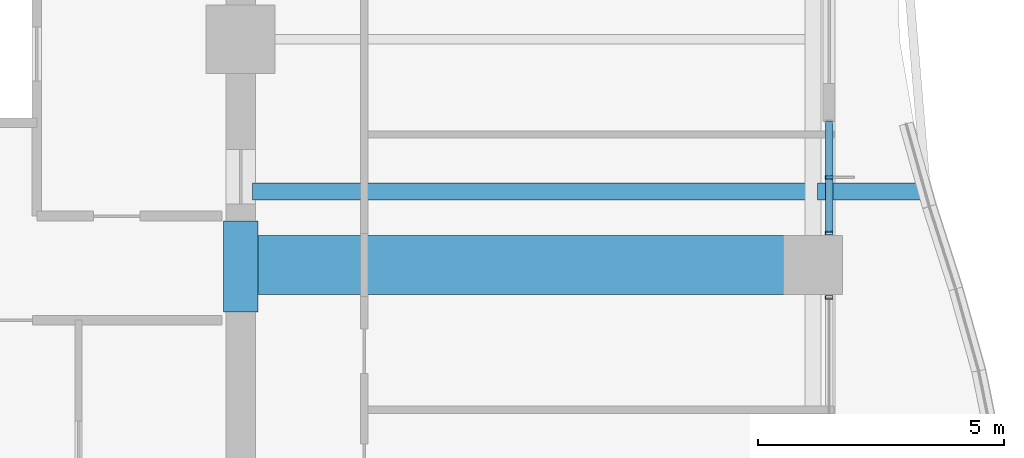
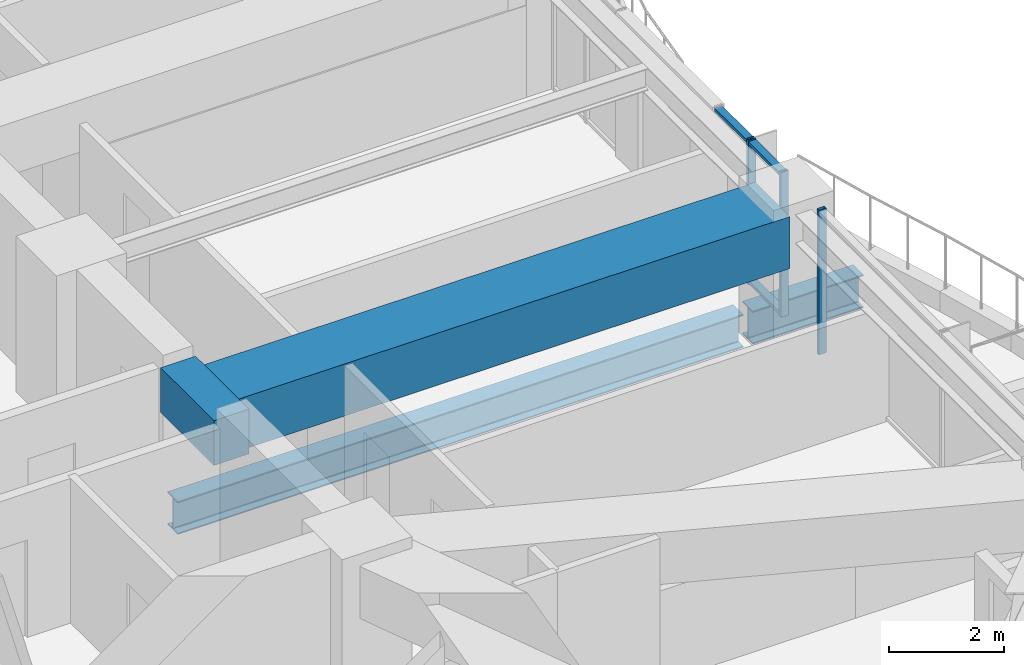
# One storey, part 14 of 39: 5 members, 4 beams, 2 elements without a shape of their own.
"""IFC4 building model written with IfcOpenShell, lengths in metres."""

import ifcopenshell
import ifcopenshell.guid

model = None  # the IFC model being written
_history = None  # IfcOwnerHistory: only IFC2X3 demands one
_inside = {}  # id of a spatial element -> (the spatial element, [elements in it])
_under = {}  # id of a project, library or spatial element -> (it, [spatial elements below it])
_declared = {}  # id of a project -> (the project, [libraries it declares])
_typed = {}  # id of a type object -> (the type object, [elements of that type])
_made_of = {}  # id of a material, layer set ... -> (it, [elements and type objects made of it])


def new_model(schema):
    """Start an empty IFC model of exactly this schema.

    Asked for "IFC4X3", IfcOpenShell would pick the latest addendum, in which some entities
    have other attributes; the version numbers below select the first issue.
    IFC2X3 requires an IfcOwnerHistory on every rooted entity: one is made here for all.
    """
    global model, _history
    if schema == "IFC4X3":
        model = ifcopenshell.file(schema_version=(4, 3, 0, 0))
    else:
        model = ifcopenshell.file(schema=schema)
    _inside.clear()
    _under.clear()
    _declared.clear()
    _typed.clear()
    _made_of.clear()
    _history = None
    if model.schema == "IFC2X3":
        org = make("IfcOrganization", Name="unknown")
        user = make(
            "IfcPersonAndOrganization",
            ThePerson=make("IfcPerson", FamilyName="unknown"),
            TheOrganization=org,
        )
        app = make(
            "IfcApplication",
            ApplicationDeveloper=org,
            Version="unknown",
            ApplicationFullName="unknown",
            ApplicationIdentifier="unknown",
        )
        _history = make(
            "IfcOwnerHistory",
            OwningUser=user,
            OwningApplication=app,
            ChangeAction="ADDED",
            CreationDate=0,
        )
    return model


def make(cls, **values):
    """One entity of the class cls with the attributes given. An attribute that is None is left unset."""
    return model.create_entity(
        cls, **{name: value for name, value in values.items() if value is not None}
    )


def rooted(cls, **values):
    """An entity with a GlobalId (a new one), such as an element, a storey or a relation."""
    return make(cls, GlobalId=ifcopenshell.guid.new(), OwnerHistory=_history, **values)


def si_unit(unit_type, name, prefix=None):
    """IfcSIUnit, for example si_unit("LENGTHUNIT", "METRE", prefix="MILLI")."""
    return make("IfcSIUnit", UnitType=unit_type, Prefix=prefix, Name=name)


def assignment(units):
    """IfcUnitAssignment: the units of a project."""
    return None if units is None else make("IfcUnitAssignment", Units=units)


def point(xyz):
    """IfcCartesianPoint."""
    return None if xyz is None else make("IfcCartesianPoint", Coordinates=xyz)


def direction(xyz):
    """IfcDirection."""
    return None if xyz is None else make("IfcDirection", DirectionRatios=xyz)


def frame(location, z_axis=None, x_axis=None):
    """IfcAxis2Placement3D, a coordinate frame: its origin and axes. An axis left out is left unset."""
    return make(
        "IfcAxis2Placement3D",
        Location=point(location),
        Axis=direction(z_axis),
        RefDirection=direction(x_axis),
    )


def frame_2d(location, x_axis=None):
    """IfcAxis2Placement2D, a coordinate frame in the plane: its origin and x axis."""
    return make(
        "IfcAxis2Placement2D", Location=point(location), RefDirection=direction(x_axis)
    )


def origin():
    """The frame at (0, 0, 0) with its axes left unset."""
    return frame((0.0, 0.0, 0.0))


def origin_2d():
    """The frame at (0, 0) in the plane with its x axis left unset."""
    return frame_2d((0.0, 0.0))


def place(relative_to, where):
    """IfcLocalPlacement: puts the frame where relative to a parent placement (None: the world)."""
    return make(
        "IfcLocalPlacement", PlacementRelTo=relative_to, RelativePlacement=where
    )


def context(
    kind, dimensions, precision=None, world=None, true_north=None, identifier=None
):
    """IfcGeometricRepresentationContext, for example the 3D "Model" context."""
    return make(
        "IfcGeometricRepresentationContext",
        ContextIdentifier=identifier,
        ContextType=kind,
        CoordinateSpaceDimension=dimensions,
        Precision=precision,
        WorldCoordinateSystem=world,
        TrueNorth=true_north,
    )


def subcontext(parent, identifier, kind, view, scale=None):
    """IfcGeometricRepresentationSubContext, for example "Body" below "Model"."""
    return make(
        "IfcGeometricRepresentationSubContext",
        ContextIdentifier=identifier,
        ContextType=kind,
        ParentContext=parent,
        TargetScale=scale,
        TargetView=view,
    )


def project(units=None, contexts=None):
    """IfcProject with its units and contexts."""
    return rooted(
        "IfcProject",
        Name="project",
        RepresentationContexts=contexts,
        UnitsInContext=assignment(units),
    )


def spatial(cls, under=None, at=None, **own):
    """A site, building, storey or space (cls), placed at a placement, below another one or the project."""
    s = rooted(cls, ObjectPlacement=at, **own)
    if under is not None:
        _under.setdefault(under.id(), (under, []))[1].append(s)
    return s


def profile(cls, at=None, kind="AREA", **sizes):
    """A parametric profile (cls). Its sizes go by their IFC names, for example OverallWidth=200.0."""
    return make(cls, ProfileType=kind, Position=at, **sizes)


def rectangle(**sizes):
    """IfcRectangleProfileDef."""
    return profile("IfcRectangleProfileDef", **sizes)


def hollow_rectangle(**sizes):
    """IfcRectangleHollowProfileDef."""
    return profile("IfcRectangleHollowProfileDef", **sizes)


def i_section(**sizes):
    """IfcIShapeProfileDef."""
    return profile("IfcIShapeProfileDef", **sizes)


def extrude(swept, where, along, depth):
    """IfcExtrudedAreaSolid: the profile swept, set in the frame where, extruded along a direction by depth."""
    return make(
        "IfcExtrudedAreaSolid",
        SweptArea=swept,
        Position=where,
        ExtrudedDirection=direction(along),
        Depth=depth,
    )


def shape(context_of_items, identifier, shape_type, items):
    """IfcShapeRepresentation: the items that make up one representation, for example the "Body"."""
    return make(
        "IfcShapeRepresentation",
        ContextOfItems=context_of_items,
        RepresentationIdentifier=identifier,
        RepresentationType=shape_type,
        Items=items,
    )


def material(Name=None, Category=None):
    """IfcMaterial."""
    return make("IfcMaterial", Name=Name, Category=Category)


def material_profile(
    of_material, cross_section, Name=None, Category=None, Priority=None
):
    """IfcMaterialProfile: a cross section and its material."""
    return make(
        "IfcMaterialProfile",
        Name=Name,
        Material=of_material,
        Profile=cross_section,
        Priority=Priority,
        Category=Category,
    )


def profile_set(profiles, Name=None, composite=None):
    """IfcMaterialProfileSet."""
    return make(
        "IfcMaterialProfileSet",
        Name=Name,
        MaterialProfiles=profiles,
        CompositeProfile=composite,
    )


def made_of(thing, what):
    """Note that an element or type object is made of a material, layer set ...; save() writes the relation."""
    if what is not None:
        _made_of.setdefault(what.id(), (what, []))[1].append(thing)
    return thing


def type_object(cls, material=None, **own):
    """A type object (cls), such as IfcWallType, which elements share."""
    return made_of(rooted(cls, **own), material)


def element(
    cls,
    number,
    at=None,
    inside=None,
    cuts=None,
    type_object=None,
    material=None,
    context=None,
    identifier="Body",
    shape_type=None,
    held_by="IfcProductDefinitionShape",
    body=None,
    shapes=None,
    **own,
):
    """One element of the class cls, such as IfcWall. Its Tag is "e" and its number.

    at: its placement. inside: the storey or other place that contains it. cuts: it is an
    opening in that element (IfcRelVoidsElement). A single representation is given by context,
    identifier, shape_type and body (its items); several are given by shapes. held_by: the class
    of the entity that holds the representations. save() writes the other relations.
    """
    e = rooted(cls, Tag="e%d" % number, ObjectPlacement=at, **own)
    if body is not None:
        shapes = [shape(context, identifier, shape_type, body)]
    if shapes is not None:
        e.Representation = make(held_by, Representations=shapes)
    if inside is not None:
        _inside.setdefault(inside.id(), (inside, []))[1].append(e)
    if cuts is not None:
        rooted(
            "IfcRelVoidsElement", RelatingBuildingElement=cuts, RelatedOpeningElement=e
        )
    if type_object is not None:
        _typed.setdefault(type_object.id(), (type_object, []))[1].append(e)
    return made_of(e, material)


def aggregate(whole, parts):
    """IfcRelAggregates: a whole, such as a stair, and the parts it consists of."""
    return rooted("IfcRelAggregates", RelatingObject=whole, RelatedObjects=parts)


def save(model, path):
    """Write the relations noted so far, then the file.

    IfcRelAggregates (storeys below a building ...), IfcRelContainedInSpatialStructure (elements
    in a storey), IfcRelDefinesByType, IfcRelAssociatesMaterial and IfcRelDeclares: one each for
    every whole, place, type object, material and project.
    """
    for whole, parts in _under.values():
        aggregate(whole, parts)
    for where, things in _inside.values():
        rooted(
            "IfcRelContainedInSpatialStructure",
            RelatedElements=things,
            RelatingStructure=where,
        )
    for kind, things in _typed.values():
        rooted("IfcRelDefinesByType", RelatedObjects=things, RelatingType=kind)
    for what, things in _made_of.values():
        rooted("IfcRelAssociatesMaterial", RelatedObjects=things, RelatingMaterial=what)
    for by, libraries in _declared.values():
        rooted("IfcRelDeclares", RelatingContext=by, RelatedDefinitions=libraries)
    model.write(path)


model = new_model("IFC4")

# Units and contexts
model_context = context("Model", 3, precision=1e-05, world=origin(), true_north=direction((0.0, 1.0)))
body_context = subcontext(model_context, "Body", "Model", "MODEL_VIEW")
ifc_project = project(units=[si_unit("LENGTHUNIT", "METRE"), si_unit("AREAUNIT", "SQUARE_METRE"), si_unit("VOLUMEUNIT", "CUBIC_METRE"), si_unit("PLANEANGLEUNIT", "RADIAN"), si_unit("MASSUNIT", "GRAM", prefix="KILO")], contexts=[model_context])

# Site, building, storey
site_placement = place(None, origin())
site = spatial("IfcSite", under=ifc_project, at=site_placement, CompositionType="ELEMENT")
building_placement = place(site_placement, origin())
building = spatial("IfcBuilding", under=site, at=building_placement, Name="Kolvaren Belvedere", CompositionType="ELEMENT")
storey_placement = place(building_placement, frame((0.0, 0.0, 33.699951171875)))
storey = spatial("IfcBuildingStorey", under=building, at=storey_placement, Name="L09", CompositionType="ELEMENT", Elevation=33.699951171875)

# Beams
ifc_material_1 = material(Name="Structural steel ASTM A992 Grade 50", Category="steel")
ifc_material_profile_1 = material_profile(ifc_material_1, i_section(OverallWidth=0.35498046875, OverallDepth=0.696044921875, WebThickness=0.015380859375, FlangeThickness=0.02490234375, FilletRadius=0.02197265625, at=origin_2d()), Name="W27X146")
ifc_profile_set_1 = profile_set([ifc_material_profile_1], Name="Structural steel ASTM A992 Grade 50")
beam_type_1 = type_object("IfcBeamType", Name="BM-CANT-BAL", PredefinedType="BEAM", material=ifc_profile_set_1)
beam_1_placement = place(storey_placement, frame((21.64501953125, -3.10009765625, -0.587890625), z_axis=(1.0, 0.0, 0.0), x_axis=(0.0, 1.0, 0.0)))
element("IfcBeam", 1, at=beam_1_placement, inside=storey, type_object=beam_type_1, Name="L09 Planted Balcony Cantilever BAL-E-1", PredefinedType="BEAM", context=body_context, shape_type="SweptSolid", body=[
    extrude(i_section(OverallWidth=0.35498046875, OverallDepth=0.696044921875, WebThickness=0.015380859375, FlangeThickness=0.02490234375, FilletRadius=0.02197265625, at=origin_2d()), origin(), (0.0, 0.0, 1.0), 2.213623046875),
])
ifc_material_2 = material(Name="Structural steel ASTM A992 Grade 50", Category="steel")
ifc_material_profile_2 = material_profile(ifc_material_2, i_section(OverallWidth=0.35498046875, OverallDepth=0.696044921875, WebThickness=0.015380859375, FlangeThickness=0.02490234375, FilletRadius=0.02197265625, at=origin_2d()), Name="W27X146")
ifc_profile_set_2 = profile_set([ifc_material_profile_2], Name="Structural steel ASTM A992 Grade 50")
beam_type_2 = type_object("IfcBeamType", Name="BM-GIRD-W27X146", PredefinedType="BEAM", material=ifc_profile_set_2)
beam_2_placement = place(storey_placement, frame((10.139892578125, -3.10009765625, -0.587890625), z_axis=(1.0, 0.0, 0.0), x_axis=(0.0, 1.0, 0.0)))
element("IfcBeam", 2, at=beam_2_placement, inside=storey, type_object=beam_type_2, Name="L09 Balcony Interior Back-Span Girder BAL-E-1", PredefinedType="BEAM", context=body_context, shape_type="SweptSolid", body=[
    extrude(i_section(OverallWidth=0.35498046875, OverallDepth=0.696044921875, WebThickness=0.015380859375, FlangeThickness=0.02490234375, FilletRadius=0.02197265625, at=origin_2d()), origin(), (0.0, 0.0, 1.0), 11.315185546875),
])
ifc_material_3 = material(Name="Concrete C60/75", Category="concrete")
ifc_material_profile_3 = material_profile(ifc_material_3, rectangle(XDim=0.699951171875, YDim=0.949951171875, at=origin_2d()), Name="RC 700X950")
ifc_profile_set_3 = profile_set([ifc_material_profile_3], Name="Concrete C60/75")
beam_type_3 = type_object("IfcBeamType", Name="BM-LINT-950", PredefinedType="LINTEL", material=ifc_profile_set_3)
beam_3_placement = place(storey_placement, frame((9.89990234375, -5.550048828125, 2.5849609375), z_axis=(0.0, 1.0, 0.0), x_axis=(-1.0, 0.0, 0.0)))
element("IfcBeam", 3, at=beam_3_placement, inside=storey, type_object=beam_type_3, Name="L09 East Core Coupling Lintel", PredefinedType="LINTEL", context=body_context, shape_type="SweptSolid", body=[
    extrude(rectangle(XDim=0.699951171875, YDim=0.949951171875, at=origin_2d()), origin(), (0.0, 0.0, 1.0), 1.85009765625),
])
ifc_material_4 = material(Name="Concrete C50/60", Category="concrete")
ifc_material_profile_4 = material_profile(ifc_material_4, rectangle(XDim=1.199951171875, YDim=1.10009765625, at=origin_2d()), Name="RC 1200X1100")
ifc_profile_set_4 = profile_set([ifc_material_profile_4], Name="Concrete C50/60")
beam_type_4 = type_object("IfcBeamType", Name="BM-TG-1100", PredefinedType="BEAM", material=ifc_profile_set_4)
beam_4_placement = place(storey_placement, frame((10.199951171875, -4.60009765625, 2.510009765625), z_axis=(1.0, 0.0, 0.0), x_axis=(0.0, 1.0, 0.0)))
element("IfcBeam", 4, at=beam_4_placement, inside=storey, type_object=beam_type_4, Name="L09 East Radial Girder M", PredefinedType="BEAM", context=body_context, shape_type="SweptSolid", body=[
    extrude(rectangle(XDim=1.199951171875, YDim=1.10009765625, at=origin_2d()), origin(), (0.0, 0.0, 1.0), 11.080078125),
])

# Curtain wall, members
ifc_material_5 = material(Name="Anodised pale-metal aluminium AA 6063-T6", Category="aluminium")
curtain_wall_type = type_object("IfcCurtainWallType", Name="CW-Z1-LOW", PredefinedType="NOTDEFINED", material=ifc_material_5)
curtain_wall_1_placement = place(storey_placement, origin())
curtain_wall_1 = element("IfcCurtainWall", 5, at=curtain_wall_1_placement, inside=storey, type_object=curtain_wall_type, Name="L09 Unitised Curtain Wall FCW-L09-E2-B1", PredefinedType="NOTDEFINED")
ifc_material_6 = material(Name="Anodised pale-metal aluminium AA 6063-T6", Category="aluminium")
ifc_material_profile_5 = material_profile(ifc_material_6, hollow_rectangle(XDim=0.070068359375, YDim=0.14990234375, WallThickness=0.004150390625, at=origin_2d()), Name="ALU-MUL-150X70")
ifc_profile_set_5 = profile_set([ifc_material_profile_5], Name="Anodised pale-metal aluminium AA 6063-T6")
member_type_1 = type_object("IfcMemberType", Name="CW-MUL-150", PredefinedType="MULLION", material=ifc_profile_set_5)
member_1_placement = place(storey_placement, frame((21.8798828125, -2.8125, 0.0), z_axis=(0.0, 0.0, 1.0), x_axis=(0.0, 1.0, 0.0)))
member_1 = element("IfcMember", 6, at=member_1_placement, type_object=member_type_1, Name="FCW-L09-E2-B1 Unitised Mullion 2", PredefinedType="MULLION", context=body_context, shape_type="SweptSolid", body=[
    extrude(hollow_rectangle(XDim=0.070068359375, YDim=0.14990234375, WallThickness=0.004150390625, at=origin_2d()), origin(), (0.0, 0.0, 1.0), 3.06005859375),
])
member_2_placement = place(storey_placement, frame((21.8798828125, -3.945068359375, 0.0), z_axis=(0.0, 0.0, 1.0), x_axis=(0.0, 1.0, 0.0)))
member_2 = element("IfcMember", 7, at=member_2_placement, type_object=member_type_1, Name="FCW-L09-E2-B1 Unitised Mullion 3", PredefinedType="MULLION", context=body_context, shape_type="SweptSolid", body=[
    extrude(hollow_rectangle(XDim=0.070068359375, YDim=0.14990234375, WallThickness=0.004150390625, at=origin_2d()), origin(), (0.0, 0.0, 1.0), 3.06005859375),
])

# Curtain wall, member
curtain_wall_2_placement = place(storey_placement, origin())
curtain_wall_2 = element("IfcCurtainWall", 8, at=curtain_wall_2_placement, inside=storey, type_object=curtain_wall_type, Name="L09 Unitised Curtain Wall FCW-L09-E2-B2", PredefinedType="NOTDEFINED")
member_3_placement = place(storey_placement, frame((21.8798828125, -5.2548828125, 0.0), z_axis=(0.0, 0.0, 1.0), x_axis=(0.0, 1.0, 0.0)))
member_3 = element("IfcMember", 9, at=member_3_placement, type_object=member_type_1, Name="FCW-L09-E2-B2 Unitised Mullion 1", PredefinedType="MULLION", context=body_context, shape_type="SweptSolid", body=[
    extrude(hollow_rectangle(XDim=0.070068359375, YDim=0.14990234375, WallThickness=0.004150390625, at=origin_2d()), origin(), (0.0, 0.0, 1.0), 3.06005859375),
])
aggregate(curtain_wall_2, [member_3])

# Member
ifc_material_7 = material(Name="Anodised pale-metal aluminium AA 6063-T6", Category="aluminium")
ifc_material_profile_6 = material_profile(ifc_material_7, hollow_rectangle(XDim=0.06494140625, YDim=0.14990234375, WallThickness=0.00390625, at=origin_2d()), Name="ALU-TRN-150X65")
ifc_profile_set_6 = profile_set([ifc_material_profile_6], Name="Anodised pale-metal aluminium AA 6063-T6")
member_type_2 = type_object("IfcMemberType", Name="CW-TRN-150", PredefinedType="USERDEFINED", material=ifc_profile_set_6)
member_4_placement = place(storey_placement, frame((21.8798828125, -1.679931640625, 0.06005859375), z_axis=(0.0, -1.0, 0.0), x_axis=(0.0, 0.0, 1.0)))
member_4 = element("IfcMember", 10, at=member_4_placement, type_object=member_type_2, Name="FCW-L09-E2-B1 Sill Transom", ObjectType="TRANSOM", PredefinedType="USERDEFINED", context=body_context, shape_type="SweptSolid", body=[
    extrude(hollow_rectangle(XDim=0.06494140625, YDim=0.14990234375, WallThickness=0.00390625, at=origin_2d()), origin(), (0.0, 0.0, 1.0), 2.26513671875),
])

member_5_placement = place(storey_placement, frame((21.8798828125, -1.679931640625, 3.0), z_axis=(0.0, -1.0, 0.0), x_axis=(0.0, 0.0, 1.0)))
member_5 = element("IfcMember", 11, at=member_5_placement, type_object=member_type_2, Name="FCW-L09-E2-B1 Head Transom", ObjectType="TRANSOM", PredefinedType="USERDEFINED", context=body_context, shape_type="SweptSolid", body=[
    extrude(hollow_rectangle(XDim=0.06494140625, YDim=0.14990234375, WallThickness=0.00390625, at=origin_2d()), origin(), (0.0, 0.0, 1.0), 2.26513671875),
])

aggregate(curtain_wall_1, [member_1, member_2, member_4, member_5])

save(model, "model.ifc")
